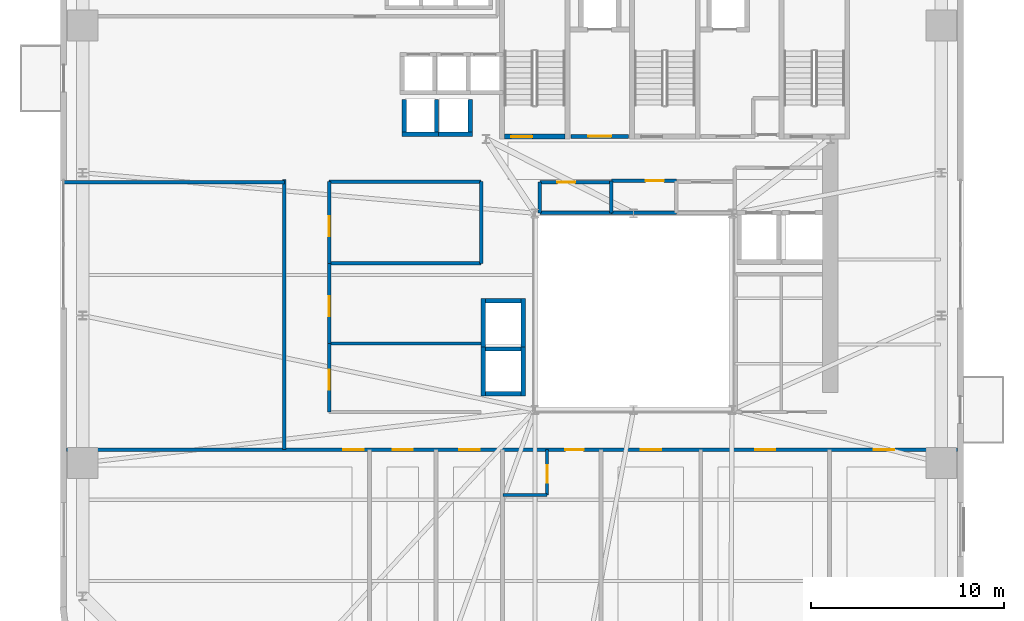
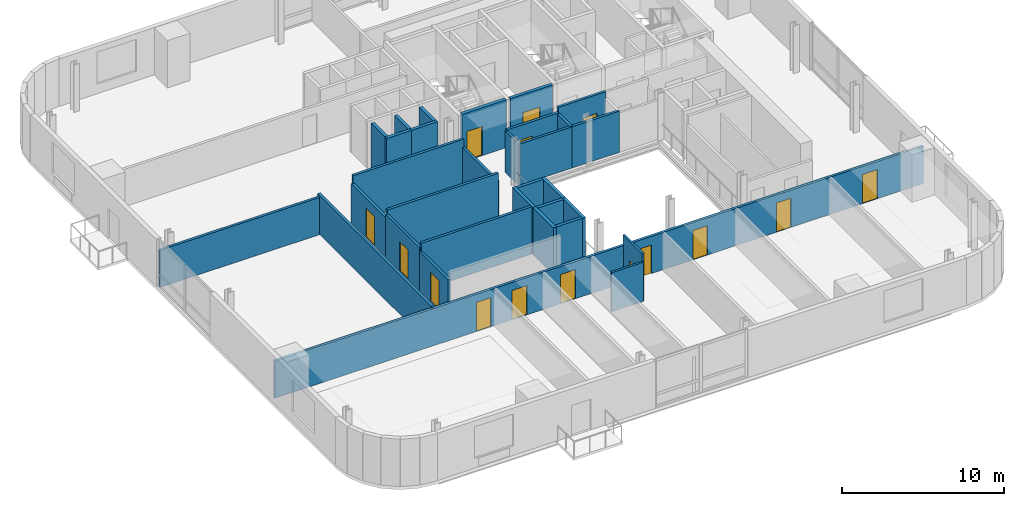
# One storey, part 6 of 14: 32 walls, 15 doors, 15 openings.
"""IFC4 building model written with IfcOpenShell, lengths in metres."""

from ifc_helpers import new_model, si_unit, direction, frame, frame_2d, origin, place, context, subcontext, project, spatial, rectangle, extrude, source, transform, mapped, material, layer, layer_set, type_object, element, fill, save


model = new_model("IFC4")

# Units and contexts
model_context = context("Model", 3, precision=1e-05, world=origin(), true_north=direction((0.0, 1.0)))
body_context = subcontext(model_context, "Body", "Model", "MODEL_VIEW")
ifc_project = project(units=[si_unit("LENGTHUNIT", "METRE"), si_unit("AREAUNIT", "SQUARE_METRE"), si_unit("VOLUMEUNIT", "CUBIC_METRE"), si_unit("PLANEANGLEUNIT", "RADIAN"), si_unit("MASSUNIT", "GRAM", prefix="KILO")], contexts=[model_context])

# Site, building, storey
site_placement = place(None, origin())
site = spatial("IfcSite", under=ifc_project, at=site_placement, CompositionType="ELEMENT")
building_placement = place(site_placement, origin())
building = spatial("IfcBuilding", under=site, at=building_placement, Name="Vardaveli Station Tower", CompositionType="ELEMENT")
storey_placement = place(building_placement, frame((0.0, 0.0, 103.699951171875)))
storey = spatial("IfcBuildingStorey", under=building, at=storey_placement, Name="L26", CompositionType="ELEMENT", Elevation=103.699951171875)

# Wall, opening, door
ifc_material_1 = material(Name="Concrete C40/50", Category="concrete")
ifc_layer_1 = layer(ifc_material_1, 0.25, Name="Concrete C40/50")
ifc_layer_set_1 = layer_set([ifc_layer_1], Name="Concrete C40/50")
wall_type_1 = type_object("IfcWallType", Name="WAL-SHAFT-250", PredefinedType="SOLIDWALL", material=ifc_layer_set_1)
shared_shape_1 = source(origin(), body_context, "Body", "SweptSolid", [
    extrude(rectangle(XDim=3.14990234375, YDim=0.25, at=frame_2d((1.574951171875, 0.0))), origin(), (0.0, 0.0, 1.0), 3.60009765625),
])
wall_1_placement = place(storey_placement, frame((29.60009765625, 30.77490234375, 0.0), z_axis=(0.0, 0.0, 1.0), x_axis=(1.0, 0.0, 0.0)))
wall_1 = element("IfcWall", 1, at=wall_1_placement, inside=storey, type_object=wall_type_1, Name="W-L26-ST-1S", PredefinedType="SOLIDWALL", context=body_context, shape_type="MappedRepresentation", body=[
    mapped(shared_shape_1, transform((0.0, 0.0, 0.0), scale=1.0)),
])
shared_shape_2 = source(origin(), body_context, "Body", "SweptSolid", [
    extrude(rectangle(XDim=1.10009765625, YDim=2.199951171875, at=frame_2d((0.550048828125, 1.10009765625))), frame((0.0, 0.135009765625, 0.0), z_axis=(0.0, -1.0, 0.0), x_axis=(1.0, 0.0, 0.0)), (0.0, 0.0, 1.0), 0.27001953125),
])
opening_1_placement = place(wall_1_placement, frame((0.35009765625, 0.0, 0.0)))
opening_1 = element("IfcOpeningElement", 2, at=opening_1_placement, cuts=wall_1, Name="Opening D-04", PredefinedType="OPENING", context=body_context, shape_type="MappedRepresentation", body=[
    mapped(shared_shape_2, transform((0.0, 0.0, 0.0), scale=1.0)),
])
ifc_material_2 = material(Name="Steel smokeproof fire doorset", Category="steel")
door_type_1 = type_object("IfcDoorType", Name="DR-ST-1100x2200", OperationType="NOTDEFINED", PredefinedType="DOOR", material=ifc_material_2)
shared_shape_3 = source(origin(), body_context, "Body", "SweptSolid", [
    extrude(rectangle(XDim=1.10009765625, YDim=2.199951171875, at=frame_2d((0.550048828125, 1.10009765625))), frame((0.0, 0.02490234375, 0.0), z_axis=(0.0, -1.0, 0.0), x_axis=(1.0, 0.0, 0.0)), (0.0, 0.0, 1.0), 0.050048828125),
])
door_1_placement = place(opening_1_placement, origin())
door_1 = element("IfcDoor", 3, at=door_1_placement, inside=storey, type_object=door_type_1, Name="DST-1-L26", OperationType="SINGLE_SWING_LEFT", OverallHeight=2.199951171875, OverallWidth=1.10009765625, PredefinedType="DOOR", context=body_context, shape_type="MappedRepresentation", body=[
    mapped(shared_shape_3, transform((0.0, 0.0, 0.0), scale=1.0)),
])
fill(opening_1, door_1)

ifc_layer_2 = layer(ifc_material_1, 0.219970703125, Name="Concrete C40/50")
ifc_layer_set_2 = layer_set([ifc_layer_2], Name="Concrete C40/50")
wall_type_2 = type_object("IfcWallType", Name="WAL-FFLOBBY-220", PredefinedType="SOLIDWALL", material=ifc_layer_set_2)
shared_shape_4 = source(origin(), body_context, "Body", "SweptSolid", [
    extrude(rectangle(XDim=3.0, YDim=0.219970703125, at=frame_2d((1.5, 0.0))), origin(), (0.0, 0.0, 1.0), 3.56005859375),
])
wall_2_placement = place(storey_placement, frame((33.050048828125, 30.780029296875, 0.0), z_axis=(0.0, 0.0, 1.0), x_axis=(1.0, 0.0, 0.0)))
wall_2 = element("IfcWall", 4, at=wall_2_placement, inside=storey, type_object=wall_type_2, Name="W-L26-FFL1S", PredefinedType="SOLIDWALL", context=body_context, shape_type="MappedRepresentation", body=[
    mapped(shared_shape_4, transform((0.0, 0.0, 0.0), scale=1.0)),
])
shared_shape_5 = source(origin(), body_context, "Body", "SweptSolid", [
    extrude(rectangle(XDim=1.199951171875, YDim=2.199951171875, at=frame_2d((0.60009765625, 1.10009765625))), frame((0.0, 0.1201171875, 0.0), z_axis=(0.0, -1.0, 0.0), x_axis=(1.0, 0.0, 0.0)), (0.0, 0.0, 1.0), 0.239990234375),
])
opening_2_placement = place(wall_2_placement, frame((0.89990234375, 0.0, 0.0)))
opening_2 = element("IfcOpeningElement", 5, at=opening_2_placement, cuts=wall_2, Name="Opening D-03", PredefinedType="OPENING", context=body_context, shape_type="MappedRepresentation", body=[
    mapped(shared_shape_5, transform((0.0, 0.0, 0.0), scale=1.0)),
])
door_type_2 = type_object("IfcDoorType", Name="DR-FFL-1200x2200", OperationType="NOTDEFINED", PredefinedType="DOOR", material=ifc_material_2)
shared_shape_6 = source(origin(), body_context, "Body", "SweptSolid", [
    extrude(rectangle(XDim=1.199951171875, YDim=2.199951171875, at=frame_2d((0.60009765625, 1.10009765625))), frame((0.0, 0.02490234375, 0.0), z_axis=(0.0, -1.0, 0.0), x_axis=(1.0, 0.0, 0.0)), (0.0, 0.0, 1.0), 0.050048828125),
])
door_2_placement = place(opening_2_placement, origin())
door_2 = element("IfcDoor", 6, at=door_2_placement, inside=storey, type_object=door_type_2, Name="DFFL1-L26", OperationType="SINGLE_SWING_LEFT", OverallHeight=2.199951171875, OverallWidth=1.199951171875, PredefinedType="DOOR", context=body_context, shape_type="MappedRepresentation", body=[
    mapped(shared_shape_6, transform((0.0, 0.0, 0.0), scale=1.0)),
])
fill(opening_2, door_2)

# Walls
shared_shape_7 = source(origin(), body_context, "Body", "SweptSolid", [
    extrude(rectangle(XDim=1.89013671875, YDim=0.219970703125, at=frame_2d((0.945068359375, 0.0))), origin(), (0.0, 0.0, 1.0), 3.56005859375),
])
for number, where, z_axis, x_axis, name in (
    (7, (24.304931640625, 30.889892578125, 0.0), (0.0, 0.0, 1.0), (1.0, 0.0, 0.0), "SHW-SHU-01-L26-S"),
    (8, (26.054931640625, 30.889892578125, 0.0), (0.0, 0.0, 1.0), (1.0, 0.0, 0.0), "SHW-SHU-02-L26-S"),
):
    element("IfcWall", number, at=place(storey_placement, frame(where, z_axis=z_axis, x_axis=x_axis)), inside=storey, type_object=wall_type_2, Name=name, PredefinedType="SOLIDWALL", context=body_context, shape_type="MappedRepresentation", body=[
        mapped(shared_shape_7, transform((0.0, 0.0, 0.0), scale=1.0)),
    ])
shared_shape_8 = source(origin(), body_context, "Body", "SweptSolid", [
    extrude(rectangle(XDim=1.699951171875, YDim=0.219970703125, at=frame_2d((0.85009765625, 0.0))), origin(), (0.0, 0.0, 1.0), 3.56005859375),
])
for number, where, z_axis, x_axis, name in (
    (9, (24.4150390625, 31.0, 0.0), (0.0, 0.0, 1.0), (0.0, 1.0, 0.0), "SHW-SHU-01-L26-W"),
    (10, (26.0849609375, 31.0, 0.0), (0.0, 0.0, 1.0), (0.0, 1.0, 0.0), "SHW-SHU-01-L26-E"),
    (11, (27.8349609375, 31.0, 0.0), (0.0, 0.0, 1.0), (0.0, 1.0, 0.0), "SHW-SHU-02-L26-E"),
):
    element("IfcWall", number, at=place(storey_placement, frame(where, z_axis=z_axis, x_axis=x_axis)), inside=storey, type_object=wall_type_2, Name=name, PredefinedType="SOLIDWALL", context=body_context, shape_type="MappedRepresentation", body=[
        mapped(shared_shape_8, transform((0.0, 0.0, 0.0), scale=1.0)),
    ])
shared_shape_9 = source(origin(), body_context, "Body", "SweptSolid", [
    extrude(rectangle(XDim=1.85009765625, YDim=0.219970703125, at=frame_2d((0.925048828125, 0.0))), origin(), (0.0, 0.0, 1.0), 3.56005859375),
])
for number, where, z_axis, x_axis, name in (
    (12, (28.625, 17.43994140625, 0.0), (0.0, 0.0, 1.0), (1.0, 0.0, 0.0), "SHW-OBS-01-L26-S"),
    (13, (28.625, 19.760009765625, 0.0), (0.0, 0.0, 1.0), (1.0, 0.0, 0.0), "SHW-OBS-01-L26-N"),
    (14, (28.625, 22.260009765625, 0.0), (0.0, 0.0, 1.0), (1.0, 0.0, 0.0), "SHW-OBS-02-L26-N"),
):
    element("IfcWall", number, at=place(storey_placement, frame(where, z_axis=z_axis, x_axis=x_axis)), inside=storey, type_object=wall_type_2, Name=name, PredefinedType="SOLIDWALL", context=body_context, shape_type="MappedRepresentation", body=[
        mapped(shared_shape_9, transform((0.0, 0.0, 0.0), scale=1.0)),
    ])
shared_shape_10 = source(origin(), body_context, "Body", "SweptSolid", [
    extrude(rectangle(XDim=2.5400390625, YDim=0.219970703125, at=frame_2d((1.27001953125, 0.0))), origin(), (0.0, 0.0, 1.0), 3.56005859375),
])
for number, where, z_axis, x_axis, name in (
    (15, (28.514892578125, 17.330078125, 0.0), (0.0, 0.0, 1.0), (0.0, 1.0, 0.0), "SHW-OBS-01-L26-W"),
    (16, (30.5849609375, 17.330078125, 0.0), (0.0, 0.0, 1.0), (0.0, 1.0, 0.0), "SHW-OBS-01-L26-E"),
    (17, (28.514892578125, 19.830078125, 0.0), (0.0, 0.0, 1.0), (0.0, 1.0, 0.0), "SHW-OBS-02-L26-W"),
    (18, (30.5849609375, 19.830078125, 0.0), (0.0, 0.0, 1.0), (0.0, 1.0, 0.0), "SHW-OBS-02-L26-E"),
):
    element("IfcWall", number, at=place(storey_placement, frame(where, z_axis=z_axis, x_axis=x_axis)), inside=storey, type_object=wall_type_2, Name=name, PredefinedType="SOLIDWALL", context=body_context, shape_type="MappedRepresentation", body=[
        mapped(shared_shape_10, transform((0.0, 0.0, 0.0), scale=1.0)),
    ])

# Wall, openings, doors
ifc_material_3 = material(Name="Fire-rated gypsum stud partition")
ifc_layer_3 = layer(ifc_material_3, 0.179931640625, Name="Fire-rated gypsum stud partition")
ifc_layer_set_3 = layer_set([ifc_layer_3], Name="Fire-rated gypsum stud partition")
wall_type_3 = type_object("IfcWallType", Name="WAL-CORR-180", PredefinedType="PARTITIONING", material=ifc_layer_set_3)
shared_shape_11 = source(origin(), body_context, "Body", "SweptSolid", [
    extrude(rectangle(XDim=46.15576171875, YDim=0.179931640625, at=frame_2d((23.077880859375, 0.0))), origin(), (0.0, 0.0, 1.0), 2.802001953125),
])
wall_3_placement = place(storey_placement, frame((6.922119140625, 14.550048828125, 0.0), z_axis=(0.0, 0.0, 1.0), x_axis=(1.0, 0.0, 0.0)))
wall_3 = element("IfcWall", 19, at=wall_3_placement, inside=storey, type_object=wall_type_3, Name="W-L26-CS", PredefinedType="PARTITIONING", context=body_context, shape_type="MappedRepresentation", body=[
    mapped(shared_shape_11, transform((0.0, 0.0, 0.0), scale=1.0)),
])
shared_shape_12 = source(origin(), body_context, "Body", "SweptSolid", [
    extrude(rectangle(XDim=1.050048828125, YDim=2.199951171875, at=frame_2d((0.52490234375, 1.10009765625))), frame((0.0, 0.10009765625, 0.0), z_axis=(0.0, -1.0, 0.0), x_axis=(1.0, 0.0, 0.0)), (0.0, 0.0, 1.0), 0.199951171875),
])
opening_3_placement = place(wall_3_placement, frame((14.33837890625, 0.0, 0.0)))
opening_3 = element("IfcOpeningElement", 20, at=opening_3_placement, cuts=wall_3, Name="Opening D-05", PredefinedType="OPENING", context=body_context, shape_type="MappedRepresentation", body=[
    mapped(shared_shape_12, transform((0.0, 0.0, 0.0), scale=1.0)),
])
opening_4_placement = place(wall_3_placement, frame((16.893310546875, 0.0, 0.0)))
opening_4 = element("IfcOpeningElement", 21, at=opening_4_placement, cuts=wall_3, Name="Opening D-05", PredefinedType="OPENING", context=body_context, shape_type="MappedRepresentation", body=[
    mapped(shared_shape_12, transform((0.0, 0.0, 0.0), scale=1.0)),
])
opening_5_placement = place(wall_3_placement, frame((20.343505859375, 0.0, 0.0)))
opening_5 = element("IfcOpeningElement", 22, at=opening_5_placement, cuts=wall_3, Name="Opening D-05", PredefinedType="OPENING", context=body_context, shape_type="MappedRepresentation", body=[
    mapped(shared_shape_12, transform((0.0, 0.0, 0.0), scale=1.0)),
])
shared_shape_13 = source(origin(), body_context, "Body", "SweptSolid", [
    extrude(rectangle(XDim=0.949951171875, YDim=2.14990234375, at=frame_2d((0.47509765625, 1.074951171875))), frame((0.0, 0.10009765625, 0.0), z_axis=(0.0, -1.0, 0.0), x_axis=(1.0, 0.0, 0.0)), (0.0, 0.0, 1.0), 0.199951171875),
])
opening_6_placement = place(wall_3_placement, frame((25.841552734375, 0.0, 0.0)))
opening_6 = element("IfcOpeningElement", 23, at=opening_6_placement, cuts=wall_3, Name="Opening D-06", PredefinedType="OPENING", context=body_context, shape_type="MappedRepresentation", body=[
    mapped(shared_shape_13, transform((0.0, 0.0, 0.0), scale=1.0)),
])
opening_7_placement = place(wall_3_placement, frame((29.75390625, 0.0, 0.0)))
opening_7 = element("IfcOpeningElement", 24, at=opening_7_placement, cuts=wall_3, Name="Opening D-05", PredefinedType="OPENING", context=body_context, shape_type="MappedRepresentation", body=[
    mapped(shared_shape_12, transform((0.0, 0.0, 0.0), scale=1.0)),
])
opening_8_placement = place(wall_3_placement, frame((35.682861328125, 0.0, 0.0)))
opening_8 = element("IfcOpeningElement", 25, at=opening_8_placement, cuts=wall_3, Name="Opening D-05", PredefinedType="OPENING", context=body_context, shape_type="MappedRepresentation", body=[
    mapped(shared_shape_12, transform((0.0, 0.0, 0.0), scale=1.0)),
])
opening_9_placement = place(wall_3_placement, frame((41.827880859375, 0.0, 0.0)))
opening_9 = element("IfcOpeningElement", 26, at=opening_9_placement, cuts=wall_3, Name="Opening D-05", PredefinedType="OPENING", context=body_context, shape_type="MappedRepresentation", body=[
    mapped(shared_shape_12, transform((0.0, 0.0, 0.0), scale=1.0)),
])
ifc_material_4 = material(Name="Walnut veneer acoustic fire door")
door_type_3 = type_object("IfcDoorType", Name="DR-SUITE-1050x2200", OperationType="NOTDEFINED", PredefinedType="DOOR", material=ifc_material_4)
shared_shape_14 = source(origin(), body_context, "Body", "SweptSolid", [
    extrude(rectangle(XDim=1.050048828125, YDim=2.199951171875, at=frame_2d((0.52490234375, 1.10009765625))), frame((0.0, 0.02490234375, 0.0), z_axis=(0.0, -1.0, 0.0), x_axis=(1.0, 0.0, 0.0)), (0.0, 0.0, 1.0), 0.050048828125),
])
door_3_placement = place(opening_3_placement, origin())
door_3 = element("IfcDoor", 27, at=door_3_placement, inside=storey, type_object=door_type_3, Name="D-L26-SA1", OperationType="SINGLE_SWING_RIGHT", OverallHeight=2.199951171875, OverallWidth=1.050048828125, PredefinedType="DOOR", context=body_context, shape_type="MappedRepresentation", body=[
    mapped(shared_shape_14, transform((0.0, 0.0, 0.0), scale=1.0)),
])
fill(opening_3, door_3)
door_4_placement = place(opening_4_placement, origin())
door_4 = element("IfcDoor", 28, at=door_4_placement, inside=storey, type_object=door_type_3, Name="D-L26-SA2", OperationType="SINGLE_SWING_LEFT", OverallHeight=2.199951171875, OverallWidth=1.050048828125, PredefinedType="DOOR", context=body_context, shape_type="MappedRepresentation", body=[
    mapped(shared_shape_14, transform((0.0, 0.0, 0.0), scale=1.0)),
])
fill(opening_4, door_4)
door_5_placement = place(opening_5_placement, origin())
door_5 = element("IfcDoor", 29, at=door_5_placement, inside=storey, type_object=door_type_3, Name="D-L26-SA3", OperationType="SINGLE_SWING_RIGHT", OverallHeight=2.199951171875, OverallWidth=1.050048828125, PredefinedType="DOOR", context=body_context, shape_type="MappedRepresentation", body=[
    mapped(shared_shape_14, transform((0.0, 0.0, 0.0), scale=1.0)),
])
fill(opening_5, door_5)
door_6_placement = place(opening_7_placement, origin())
door_6 = element("IfcDoor", 30, at=door_6_placement, inside=storey, type_object=door_type_3, Name="D-L26-SA5", OperationType="SINGLE_SWING_RIGHT", OverallHeight=2.199951171875, OverallWidth=1.050048828125, PredefinedType="DOOR", context=body_context, shape_type="MappedRepresentation", body=[
    mapped(shared_shape_14, transform((0.0, 0.0, 0.0), scale=1.0)),
])
fill(opening_7, door_6)
door_7_placement = place(opening_8_placement, origin())
door_7 = element("IfcDoor", 31, at=door_7_placement, inside=storey, type_object=door_type_3, Name="D-L26-SA6", OperationType="SINGLE_SWING_LEFT", OverallHeight=2.199951171875, OverallWidth=1.050048828125, PredefinedType="DOOR", context=body_context, shape_type="MappedRepresentation", body=[
    mapped(shared_shape_14, transform((0.0, 0.0, 0.0), scale=1.0)),
])
fill(opening_8, door_7)
door_8_placement = place(opening_9_placement, origin())
door_8 = element("IfcDoor", 32, at=door_8_placement, inside=storey, type_object=door_type_3, Name="D-L26-SA7", OperationType="SINGLE_SWING_RIGHT", OverallHeight=2.199951171875, OverallWidth=1.050048828125, PredefinedType="DOOR", context=body_context, shape_type="MappedRepresentation", body=[
    mapped(shared_shape_14, transform((0.0, 0.0, 0.0), scale=1.0)),
])
fill(opening_9, door_8)
ifc_material_5 = material(Name="Oak veneer acoustic fire door")
door_type_4 = type_object("IfcDoorType", Name="DR-GUEST-950x2150", OperationType="NOTDEFINED", PredefinedType="DOOR", material=ifc_material_5)
shared_shape_15 = source(origin(), body_context, "Body", "SweptSolid", [
    extrude(rectangle(XDim=0.949951171875, YDim=2.14990234375, at=frame_2d((0.47509765625, 1.074951171875))), frame((0.0, 0.02490234375, 0.0), z_axis=(0.0, -1.0, 0.0), x_axis=(1.0, 0.0, 0.0)), (0.0, 0.0, 1.0), 0.050048828125),
])
door_9_placement = place(opening_6_placement, origin())
door_9 = element("IfcDoor", 33, at=door_9_placement, inside=storey, type_object=door_type_4, Name="D-L26-GS4", OperationType="SINGLE_SWING_LEFT", OverallHeight=2.14990234375, OverallWidth=0.949951171875, PredefinedType="DOOR", context=body_context, shape_type="MappedRepresentation", body=[
    mapped(shared_shape_15, transform((0.0, 0.0, 0.0), scale=1.0)),
])
fill(opening_6, door_9)

# Wall, opening, door
shared_shape_16 = source(origin(), body_context, "Body", "SweptSolid", [
    extrude(rectangle(XDim=4.239990234375, YDim=0.179931640625, at=frame_2d((2.1201171875, 0.0))), origin(), (0.0, 0.0, 1.0), 2.9521484375),
])
wall_4_placement = place(storey_placement, frame((20.52001953125, 24.199951171875, 0.0), z_axis=(0.0, 0.0, 1.0), x_axis=(0.0, 1.0, 0.0)))
wall_4 = element("IfcWall", 34, at=wall_4_placement, inside=storey, type_object=wall_type_3, Name="W-L26-ATWC-W", PredefinedType="PARTITIONING", context=body_context, shape_type="MappedRepresentation", body=[
    mapped(shared_shape_16, transform((0.0, 0.0, 0.0), scale=1.0)),
])
opening_10_placement = place(wall_4_placement, frame((1.39990234375, 0.0, 0.0)))
opening_10 = element("IfcOpeningElement", 35, at=opening_10_placement, cuts=wall_4, Name="Opening D-05", PredefinedType="OPENING", context=body_context, shape_type="MappedRepresentation", body=[
    mapped(shared_shape_12, transform((0.0, 0.0, 0.0), scale=1.0)),
])
door_10_placement = place(opening_10_placement, origin())
door_10 = element("IfcDoor", 36, at=door_10_placement, inside=storey, type_object=door_type_3, Name="D-L26-ATW3", OperationType="SINGLE_SWING_RIGHT", OverallHeight=2.199951171875, OverallWidth=1.050048828125, PredefinedType="DOOR", context=body_context, shape_type="MappedRepresentation", body=[
    mapped(shared_shape_14, transform((0.0, 0.0, 0.0), scale=1.0)),
])
fill(opening_10, door_10)

# Wall
wall_5_placement = place(storey_placement, frame((28.39990234375, 24.199951171875, 0.0), z_axis=(0.0, 0.0, 1.0), x_axis=(0.0, 1.0, 0.0)))
element("IfcWall", 37, at=wall_5_placement, inside=storey, type_object=wall_type_3, Name="W-L26-ATWC-E", PredefinedType="PARTITIONING", context=body_context, shape_type="MappedRepresentation", body=[
    mapped(shared_shape_16, transform((0.0, 0.0, 0.0), scale=1.0)),
])

# Wall, opening, door
shared_shape_17 = source(origin(), body_context, "Body", "SweptSolid", [
    extrude(rectangle(XDim=4.14990234375, YDim=0.179931640625, at=frame_2d((2.074951171875, 0.0))), origin(), (0.0, 0.0, 1.0), 3.22216796875),
])
wall_6_placement = place(storey_placement, frame((20.52001953125, 20.050048828125, 0.0), z_axis=(0.0, 0.0, 1.0), x_axis=(0.0, 1.0, 0.0)))
wall_6 = element("IfcWall", 38, at=wall_6_placement, inside=storey, type_object=wall_type_3, Name="W-L26-ATWB-W", PredefinedType="PARTITIONING", context=body_context, shape_type="MappedRepresentation", body=[
    mapped(shared_shape_17, transform((0.0, 0.0, 0.0), scale=1.0)),
])
opening_11_placement = place(wall_6_placement, frame((1.39990234375, 0.0, 0.0)))
opening_11 = element("IfcOpeningElement", 39, at=opening_11_placement, cuts=wall_6, Name="Opening D-05", PredefinedType="OPENING", context=body_context, shape_type="MappedRepresentation", body=[
    mapped(shared_shape_12, transform((0.0, 0.0, 0.0), scale=1.0)),
])
door_11_placement = place(opening_11_placement, origin())
door_11 = element("IfcDoor", 40, at=door_11_placement, inside=storey, type_object=door_type_3, Name="D-L26-ATW2", OperationType="SINGLE_SWING_LEFT", OverallHeight=2.199951171875, OverallWidth=1.050048828125, PredefinedType="DOOR", context=body_context, shape_type="MappedRepresentation", body=[
    mapped(shared_shape_14, transform((0.0, 0.0, 0.0), scale=1.0)),
])
fill(opening_11, door_11)

shared_shape_18 = source(origin(), body_context, "Body", "SweptSolid", [
    extrude(rectangle(XDim=3.699951171875, YDim=0.179931640625, at=frame_2d((1.85009765625, 0.0))), origin(), (0.0, 0.0, 1.0), 3.192138671875),
])
wall_7_placement = place(storey_placement, frame((31.449951171875, 28.419921875, 0.0), z_axis=(0.0, 0.0, 1.0), x_axis=(1.0, 0.0, 0.0)))
wall_7 = element("IfcWall", 41, at=wall_7_placement, inside=storey, type_object=wall_type_3, Name="W-L26-CS2A-N", PredefinedType="PARTITIONING", context=body_context, shape_type="MappedRepresentation", body=[
    mapped(shared_shape_18, transform((0.0, 0.0, 0.0), scale=1.0)),
])
shared_shape_19 = source(origin(), body_context, "Body", "SweptSolid", [
    extrude(rectangle(XDim=0.919921875, YDim=2.10009765625, at=frame_2d((0.4599609375, 1.050048828125))), frame((0.0, 0.10009765625, 0.0), z_axis=(0.0, -1.0, 0.0), x_axis=(1.0, 0.0, 0.0)), (0.0, 0.0, 1.0), 0.199951171875),
])
opening_12_placement = place(wall_7_placement, frame((0.89990234375, 0.0, 0.0)))
opening_12 = element("IfcOpeningElement", 42, at=opening_12_placement, cuts=wall_7, Name="Opening D-07", PredefinedType="OPENING", context=body_context, shape_type="MappedRepresentation", body=[
    mapped(shared_shape_19, transform((0.0, 0.0, 0.0), scale=1.0)),
])
ifc_material_6 = material(Name="Moisture-resistant hardwood door", Category="wood")
door_type_5 = type_object("IfcDoorType", Name="DR-WC-920x2100", OperationType="NOTDEFINED", PredefinedType="DOOR", material=ifc_material_6)
shared_shape_20 = source(origin(), body_context, "Body", "SweptSolid", [
    extrude(rectangle(XDim=0.919921875, YDim=2.10009765625, at=frame_2d((0.4599609375, 1.050048828125))), frame((0.0, 0.02490234375, 0.0), z_axis=(0.0, -1.0, 0.0), x_axis=(1.0, 0.0, 0.0)), (0.0, 0.0, 1.0), 0.050048828125),
])
door_12_placement = place(opening_12_placement, origin())
door_12 = element("IfcDoor", 43, at=door_12_placement, inside=storey, type_object=door_type_5, Name="D-L26-CS2A", OperationType="SINGLE_SWING_RIGHT", OverallHeight=2.10009765625, OverallWidth=0.919921875, PredefinedType="DOOR", context=body_context, shape_type="MappedRepresentation", body=[
    mapped(shared_shape_20, transform((0.0, 0.0, 0.0), scale=1.0)),
])
fill(opening_12, door_12)

shared_shape_21 = source(origin(), body_context, "Body", "SweptSolid", [
    extrude(rectangle(XDim=3.550048828125, YDim=0.179931640625, at=frame_2d((1.77490234375, 0.0))), origin(), (0.0, 0.0, 1.0), 2.9521484375),
])
wall_8_placement = place(storey_placement, frame((20.52001953125, 16.5, 0.0), z_axis=(0.0, 0.0, 1.0), x_axis=(0.0, 1.0, 0.0)))
wall_8 = element("IfcWall", 44, at=wall_8_placement, inside=storey, type_object=wall_type_3, Name="W-L26-ATWA-W", PredefinedType="PARTITIONING", context=body_context, shape_type="MappedRepresentation", body=[
    mapped(shared_shape_21, transform((0.0, 0.0, 0.0), scale=1.0)),
])
opening_13_placement = place(wall_8_placement, frame((1.14990234375, 0.0, 0.0)))
opening_13 = element("IfcOpeningElement", 45, at=opening_13_placement, cuts=wall_8, Name="Opening D-05", PredefinedType="OPENING", context=body_context, shape_type="MappedRepresentation", body=[
    mapped(shared_shape_12, transform((0.0, 0.0, 0.0), scale=1.0)),
])
door_13_placement = place(opening_13_placement, origin())
door_13 = element("IfcDoor", 46, at=door_13_placement, inside=storey, type_object=door_type_3, Name="D-L26-ATW1", OperationType="SINGLE_SWING_LEFT", OverallHeight=2.199951171875, OverallWidth=1.050048828125, PredefinedType="DOOR", context=body_context, shape_type="MappedRepresentation", body=[
    mapped(shared_shape_14, transform((0.0, 0.0, 0.0), scale=1.0)),
])
fill(opening_13, door_13)

shared_shape_22 = source(origin(), body_context, "Body", "SweptSolid", [
    extrude(rectangle(XDim=3.3701171875, YDim=0.179931640625, at=frame_2d((1.68505859375, 0.0))), origin(), (0.0, 0.0, 1.0), 3.56005859375),
])
wall_9_placement = place(storey_placement, frame((35.14990234375, 28.47998046875, 0.0), z_axis=(0.0, 0.0, 1.0), x_axis=(1.0, 0.0, 0.0)))
wall_9 = element("IfcWall", 47, at=wall_9_placement, inside=storey, type_object=wall_type_3, Name="W-L26-HKP2-N", PredefinedType="PARTITIONING", context=body_context, shape_type="MappedRepresentation", body=[
    mapped(shared_shape_22, transform((0.0, 0.0, 0.0), scale=1.0)),
])
opening_14_placement = place(wall_9_placement, frame((1.77490234375, 0.0, 0.0)))
opening_14 = element("IfcOpeningElement", 48, at=opening_14_placement, cuts=wall_9, Name="Opening D-06", PredefinedType="OPENING", context=body_context, shape_type="MappedRepresentation", body=[
    mapped(shared_shape_13, transform((0.0, 0.0, 0.0), scale=1.0)),
])
door_14_placement = place(opening_14_placement, origin())
door_14 = element("IfcDoor", 49, at=door_14_placement, inside=storey, type_object=door_type_4, Name="D-L26-HKP", OperationType="SINGLE_SWING_LEFT", OverallHeight=2.14990234375, OverallWidth=0.949951171875, PredefinedType="DOOR", context=body_context, shape_type="MappedRepresentation", body=[
    mapped(shared_shape_15, transform((0.0, 0.0, 0.0), scale=1.0)),
])
fill(opening_14, door_14)

ifc_material_7 = material(Name="Moisture-resistant stud partition")
ifc_layer_4 = layer(ifc_material_7, 0.14990234375, Name="Moisture-resistant stud partition")
ifc_layer_set_4 = layer_set([ifc_layer_4], Name="Moisture-resistant stud partition")
wall_type_4 = type_object("IfcWallType", Name="WAL-WET-150", PredefinedType="PARTITIONING", material=ifc_layer_set_4)
shared_shape_23 = source(origin(), body_context, "Body", "SweptSolid", [
    extrude(rectangle(XDim=2.360107421875, YDim=0.14990234375, at=frame_2d((1.18017578125, 0.0))), origin(), (0.0, 0.0, 1.0), 3.56005859375),
])
wall_10_placement = place(storey_placement, frame((31.820068359375, 12.18994140625, 0.0), z_axis=(0.0, 0.0, 1.0), x_axis=(0.0, 1.0, 0.0)))
wall_10 = element("IfcWall", 50, at=wall_10_placement, inside=storey, type_object=wall_type_4, Name="W-L26-BS4-E", PredefinedType="PARTITIONING", context=body_context, shape_type="MappedRepresentation", body=[
    mapped(shared_shape_23, transform((0.0, 0.0, 0.0), scale=1.0)),
])
shared_shape_24 = source(origin(), body_context, "Body", "SweptSolid", [
    extrude(rectangle(XDim=0.89990234375, YDim=2.10009765625, at=frame_2d((0.449951171875, 1.050048828125))), frame((0.0, 0.0849609375, 0.0), z_axis=(0.0, -1.0, 0.0), x_axis=(1.0, 0.0, 0.0)), (0.0, 0.0, 1.0), 0.169921875),
])
opening_15_placement = place(wall_10_placement, frame((0.64990234375, 0.0, 0.0)))
opening_15 = element("IfcOpeningElement", 51, at=opening_15_placement, cuts=wall_10, Name="Opening D-08", PredefinedType="OPENING", context=body_context, shape_type="MappedRepresentation", body=[
    mapped(shared_shape_24, transform((0.0, 0.0, 0.0), scale=1.0)),
])
ifc_material_8 = material(Name="Moisture-resistant oak door")
door_type_6 = type_object("IfcDoorType", Name="DR-BATH-900x2100", OperationType="NOTDEFINED", PredefinedType="DOOR", material=ifc_material_8)
shared_shape_25 = source(origin(), body_context, "Body", "SweptSolid", [
    extrude(rectangle(XDim=0.89990234375, YDim=2.10009765625, at=frame_2d((0.449951171875, 1.050048828125))), frame((0.0, 0.02490234375, 0.0), z_axis=(0.0, -1.0, 0.0), x_axis=(1.0, 0.0, 0.0)), (0.0, 0.0, 1.0), 0.050048828125),
])
door_15_placement = place(opening_15_placement, origin())
door_15 = element("IfcDoor", 52, at=door_15_placement, inside=storey, type_object=door_type_6, Name="D-L26-BS4", OperationType="SINGLE_SWING_LEFT", OverallHeight=2.10009765625, OverallWidth=0.89990234375, PredefinedType="DOOR", context=body_context, shape_type="MappedRepresentation", body=[
    mapped(shared_shape_25, transform((0.0, 0.0, 0.0), scale=1.0)),
])
fill(opening_15, door_15)

# Walls
shared_shape_26 = source(origin(), body_context, "Body", "SweptSolid", [
    extrude(rectangle(XDim=14.0, YDim=0.179931640625, at=frame_2d((7.0, 0.0))), origin(), (0.0, 0.0, 1.0), 2.9521484375),
])
wall_11_placement = place(storey_placement, frame((18.199951171875, 14.550048828125, 0.0), z_axis=(0.0, 0.0, 1.0), x_axis=(0.0, 1.0, 0.0)))
element("IfcWall", 53, at=wall_11_placement, inside=storey, type_object=wall_type_3, Name="W-L26-CW", PredefinedType="PARTITIONING", context=body_context, shape_type="MappedRepresentation", body=[
    mapped(shared_shape_26, transform((0.0, 0.0, 0.0), scale=1.0)),
])
shared_shape_27 = source(origin(), body_context, "Body", "SweptSolid", [
    extrude(rectangle(XDim=11.469970703125, YDim=0.179931640625, at=frame_2d((5.73486328125, 0.0))), origin(), (0.0, 0.0, 1.0), 2.802001953125),
])
wall_12_placement = place(storey_placement, frame((6.72998046875, 28.39990234375, 0.0), z_axis=(0.0, 0.0, 1.0), x_axis=(1.0, 0.0, 0.0)))
element("IfcWall", 54, at=wall_12_placement, inside=storey, type_object=wall_type_3, Name="W-L26-CWN", PredefinedType="PARTITIONING", context=body_context, shape_type="MappedRepresentation", body=[
    mapped(shared_shape_27, transform((0.0, 0.0, 0.0), scale=1.0)),
])
shared_shape_28 = source(origin(), body_context, "Body", "SweptSolid", [
    extrude(rectangle(XDim=7.8798828125, YDim=0.179931640625, at=frame_2d((3.93994140625, 0.0))), origin(), (0.0, 0.0, 1.0), 3.56005859375),
])
for number, where, z_axis, x_axis, name in (
    (55, (20.52001953125, 20.050048828125, 0.0), (0.0, 0.0, 1.0), (1.0, 0.0, 0.0), "W-L26-ATWA-N"),
    (56, (20.52001953125, 24.199951171875, 0.0), (0.0, 0.0, 1.0), (1.0, 0.0, 0.0), "W-L26-ATWB-N"),
    (57, (20.52001953125, 28.43994140625, 0.0), (0.0, 0.0, 1.0), (1.0, 0.0, 0.0), "W-L26-ATWC-N"),
):
    element("IfcWall", number, at=place(storey_placement, frame(where, z_axis=z_axis, x_axis=x_axis)), inside=storey, type_object=wall_type_3, Name=name, PredefinedType="PARTITIONING", context=body_context, shape_type="MappedRepresentation", body=[
        mapped(shared_shape_28, transform((0.0, 0.0, 0.0), scale=1.0)),
    ])
shared_shape_29 = source(origin(), body_context, "Body", "SweptSolid", [
    extrude(rectangle(XDim=3.699951171875, YDim=0.179931640625, at=frame_2d((1.85009765625, 0.0))), origin(), (0.0, 0.0, 1.0), 3.10205078125),
])
wall_13_placement = place(storey_placement, frame((31.449951171875, 26.820068359375, 0.0), z_axis=(0.0, 0.0, 1.0), x_axis=(1.0, 0.0, 0.0)))
element("IfcWall", 58, at=wall_13_placement, inside=storey, type_object=wall_type_3, Name="W-L26-CS2A-S", PredefinedType="PARTITIONING", context=body_context, shape_type="MappedRepresentation", body=[
    mapped(shared_shape_29, transform((0.0, 0.0, 0.0), scale=1.0)),
])
shared_shape_30 = source(origin(), body_context, "Body", "SweptSolid", [
    extrude(rectangle(XDim=3.3701171875, YDim=0.179931640625, at=frame_2d((1.68505859375, 0.0))), origin(), (0.0, 0.0, 1.0), 3.10205078125),
])
wall_14_placement = place(storey_placement, frame((35.14990234375, 26.820068359375, 0.0), z_axis=(0.0, 0.0, 1.0), x_axis=(1.0, 0.0, 0.0)))
element("IfcWall", 59, at=wall_14_placement, inside=storey, type_object=wall_type_3, Name="W-L26-HKP2-S", PredefinedType="PARTITIONING", context=body_context, shape_type="MappedRepresentation", body=[
    mapped(shared_shape_30, transform((0.0, 0.0, 0.0), scale=1.0)),
])
shared_shape_31 = source(origin(), body_context, "Body", "SweptSolid", [
    extrude(rectangle(XDim=2.2900390625, YDim=0.14990234375, at=frame_2d((1.14501953125, 0.0))), origin(), (0.0, 0.0, 1.0), 2.9521484375),
])
wall_15_placement = place(storey_placement, frame((29.530029296875, 12.18994140625, 0.0), z_axis=(0.0, 0.0, 1.0), x_axis=(1.0, 0.0, 0.0)))
element("IfcWall", 60, at=wall_15_placement, inside=storey, type_object=wall_type_4, Name="W-L26-BS4-S", PredefinedType="PARTITIONING", context=body_context, shape_type="MappedRepresentation", body=[
    mapped(shared_shape_31, transform((0.0, 0.0, 0.0), scale=1.0)),
])
shared_shape_32 = source(origin(), body_context, "Body", "SweptSolid", [
    extrude(rectangle(XDim=1.659912109375, YDim=0.179931640625, at=frame_2d((0.830078125, 0.0))), origin(), (0.0, 0.0, 1.0), 3.10205078125),
])
wall_16_placement = place(storey_placement, frame((35.14990234375, 26.820068359375, 0.0), z_axis=(0.0, 0.0, 1.0), x_axis=(0.0, 1.0, 0.0)))
element("IfcWall", 61, at=wall_16_placement, inside=storey, type_object=wall_type_3, Name="W-L26-HKP2-W", PredefinedType="PARTITIONING", context=body_context, shape_type="MappedRepresentation", body=[
    mapped(shared_shape_32, transform((0.0, 0.0, 0.0), scale=1.0)),
])
shared_shape_33 = source(origin(), body_context, "Body", "SweptSolid", [
    extrude(rectangle(XDim=1.599853515625, YDim=0.179931640625, at=frame_2d((0.7998046875, 0.0))), origin(), (0.0, 0.0, 1.0), 3.10205078125),
])
wall_17_placement = place(storey_placement, frame((31.449951171875, 26.820068359375, 0.0), z_axis=(0.0, 0.0, 1.0), x_axis=(0.0, 1.0, 0.0)))
element("IfcWall", 62, at=wall_17_placement, inside=storey, type_object=wall_type_3, Name="W-L26-CS2A-W", PredefinedType="PARTITIONING", context=body_context, shape_type="MappedRepresentation", body=[
    mapped(shared_shape_33, transform((0.0, 0.0, 0.0), scale=1.0)),
])

save(model, "model.ifc")
